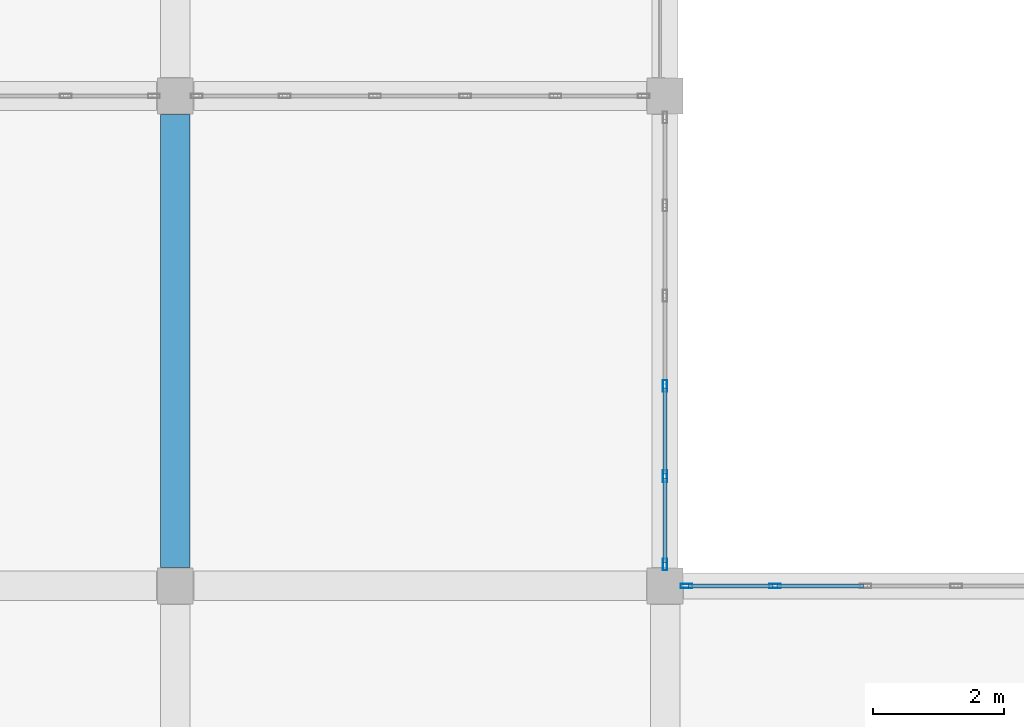
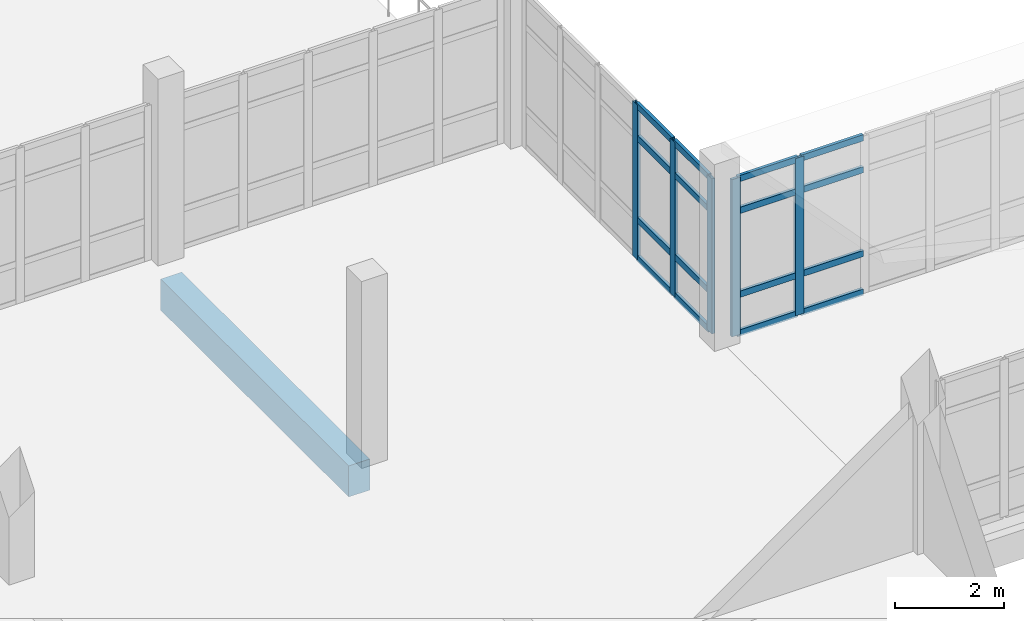
# One storey, part 47 of 164: 21 members, 1 beam, 2 elements without a shape of their own.
"""IFC4 building model written with IfcOpenShell, lengths in metres."""

from ifc_helpers import new_model, si_unit, direction, frame, origin, origin_2d, place, context, subcontext, project, spatial, rectangle, hollow_rectangle, extrude, material, layer, layer_set, material_profile, profile_set, type_object, element, aggregate, save


model = new_model("IFC4")

# Units and contexts
model_context = context("Model", 3, precision=1e-05, world=origin(), true_north=direction((0.0, 1.0)))
body_context = subcontext(model_context, "Body", "Model", "MODEL_VIEW")
ifc_project = project(units=[si_unit("LENGTHUNIT", "METRE"), si_unit("AREAUNIT", "SQUARE_METRE"), si_unit("VOLUMEUNIT", "CUBIC_METRE"), si_unit("PLANEANGLEUNIT", "RADIAN"), si_unit("MASSUNIT", "GRAM", prefix="KILO")], contexts=[model_context])

# Site, building, storey
site_placement = place(None, origin())
site = spatial("IfcSite", under=ifc_project, at=site_placement, CompositionType="ELEMENT")
building_placement = place(site_placement, origin())
building = spatial("IfcBuilding", under=site, at=building_placement, Name="Mawjan Specialist Oncology Clinic", CompositionType="ELEMENT")
storey_placement = place(building_placement, frame((0.0, 0.0, 5.0)))
storey = spatial("IfcBuildingStorey", under=building, at=storey_placement, Name="L01", CompositionType="ELEMENT", Elevation=5.0)

# Beam
ifc_material_1 = material(Name="Concrete C40/50", Category="concrete")
ifc_material_profile_1 = material_profile(ifc_material_1, rectangle(XDim=0.449951171875, YDim=0.699951171875, at=origin_2d()), Name="RC BM 450x700", Category="concrete")
ifc_profile_set_1 = profile_set([ifc_material_profile_1], Name="Concrete C40/50")
beam_type = type_object("IfcBeamType", Name="BM-450x700", PredefinedType="BEAM", material=ifc_profile_set_1)
beam_placement = place(storey_placement, frame((37.5, 53.5849609375, -0.64990234375), z_axis=(0.0, 1.0, 0.0), x_axis=(-1.0, 0.0, 0.0)))
element("IfcBeam", 1, at=beam_placement, inside=storey, type_object=beam_type, Name="L01 Collector Beam BM-L01-0469", PredefinedType="BEAM", context=body_context, shape_type="SweptSolid", body=[
    extrude(rectangle(XDim=0.449951171875, YDim=0.699951171875, at=origin_2d()), origin(), (0.0, 0.0, 1.0), 6.929931640625),
])

# Curtain wall, members
ifc_material_2 = material(Name="Unitised spectrally selective aluminium curtain wall", Category="aluminium")
ifc_layer_1 = layer(ifc_material_2, 0.179931640625, Name="Unitised spectrally selective aluminium curtain wall", Category="aluminium")
ifc_layer_set_1 = layer_set([ifc_layer_1], Name="Unitised spectrally selective aluminium curtain wall")
curtain_wall_type_1 = type_object("IfcCurtainWallType", Name="CW-52", PredefinedType="NOTDEFINED", material=ifc_layer_set_1)
curtain_wall_1_placement = place(storey_placement, origin())
curtain_wall_1 = element("IfcCurtainWall", 2, at=curtain_wall_1_placement, inside=storey, type_object=curtain_wall_type_1, Name="L01 Unitised Curtain Wall CW-L01-097", PredefinedType="NOTDEFINED")
ifc_material_3 = material(Name="Thermally broken aluminium 6063-T6", Category="aluminium")
ifc_material_profile_2 = material_profile(ifc_material_3, hollow_rectangle(XDim=0.06494140625, YDim=0.179931640625, WallThickness=0.00390625, at=origin_2d()), Name="ALU MULLION 180x65x4", Category="aluminium")
ifc_profile_set_2 = profile_set([ifc_material_profile_2], Name="Thermally broken aluminium 6063-T6")
member_type_1 = type_object("IfcMemberType", Name="CW-M180", PredefinedType="MULLION", material=ifc_profile_set_2)
member_1_placement = place(storey_placement, frame((45.0, 56.35888671875, 0.0), z_axis=(0.0, 0.0, 1.0), x_axis=(1.0, 0.0, 0.0)))
member_1 = element("IfcMember", 3, at=member_1_placement, type_object=member_type_1, Name="CW-52 mullion 4", PredefinedType="MULLION", context=body_context, shape_type="SweptSolid", body=[
    extrude(hollow_rectangle(XDim=0.06494140625, YDim=0.179931640625, WallThickness=0.00390625, at=origin_2d()), origin(), (0.0, 0.0, 1.0), 3.485107421875),
])
member_2_placement = place(storey_placement, frame((45.0, 54.97705078125, 0.0), z_axis=(0.0, 0.0, 1.0), x_axis=(1.0, 0.0, 0.0)))
member_2 = element("IfcMember", 4, at=member_2_placement, type_object=member_type_1, Name="CW-52 mullion 5", PredefinedType="MULLION", context=body_context, shape_type="SweptSolid", body=[
    extrude(hollow_rectangle(XDim=0.06494140625, YDim=0.179931640625, WallThickness=0.00390625, at=origin_2d()), origin(), (0.0, 0.0, 1.0), 3.485107421875),
])
member_3_placement = place(storey_placement, frame((45.0, 53.62744140625, 0.0), z_axis=(0.0, 0.0, 1.0), x_axis=(1.0, 0.0, 0.0)))
member_3 = element("IfcMember", 5, at=member_3_placement, type_object=member_type_1, Name="CW-52 mullion 6", PredefinedType="MULLION", context=body_context, shape_type="SweptSolid", body=[
    extrude(hollow_rectangle(XDim=0.06494140625, YDim=0.179931640625, WallThickness=0.00390625, at=origin_2d()), origin(), (0.0, 0.0, 1.0), 3.485107421875),
])

ifc_material_4 = material(Name="Unitised spectrally selective aluminium curtain wall", Category="aluminium")
ifc_layer_2 = layer(ifc_material_4, 0.179931640625, Name="Unitised spectrally selective aluminium curtain wall", Category="aluminium")
ifc_layer_set_2 = layer_set([ifc_layer_2], Name="Unitised spectrally selective aluminium curtain wall")
curtain_wall_type_2 = type_object("IfcCurtainWallType", Name="CW-53", PredefinedType="NOTDEFINED", material=ifc_layer_set_2)
curtain_wall_2_placement = place(storey_placement, origin())
curtain_wall_2 = element("IfcCurtainWall", 6, at=curtain_wall_2_placement, inside=storey, type_object=curtain_wall_type_2, Name="L01 Unitised Curtain Wall CW-L01-098", PredefinedType="NOTDEFINED")
member_4_placement = place(storey_placement, frame((45.327392578125, 53.300048828125, 0.0), z_axis=(0.0, 0.0, 1.0), x_axis=(0.0, 1.0, 0.0)))
member_4 = element("IfcMember", 7, at=member_4_placement, type_object=member_type_1, Name="CW-53 mullion 1", PredefinedType="MULLION", context=body_context, shape_type="SweptSolid", body=[
    extrude(hollow_rectangle(XDim=0.06494140625, YDim=0.179931640625, WallThickness=0.00390625, at=origin_2d()), origin(), (0.0, 0.0, 1.0), 3.534912109375),
])
member_5_placement = place(storey_placement, frame((46.681884765625, 53.300048828125, 0.0), z_axis=(0.0, 0.0, 1.0), x_axis=(0.0, 1.0, 0.0)))
member_5 = element("IfcMember", 8, at=member_5_placement, type_object=member_type_1, Name="CW-53 mullion 2", PredefinedType="MULLION", context=body_context, shape_type="SweptSolid", body=[
    extrude(hollow_rectangle(XDim=0.06494140625, YDim=0.179931640625, WallThickness=0.00390625, at=origin_2d()), origin(), (0.0, 0.0, 1.0), 3.534912109375),
])

# Member
ifc_material_5 = material(Name="Thermally broken aluminium 6063-T6", Category="aluminium")
ifc_material_profile_3 = material_profile(ifc_material_5, hollow_rectangle(XDim=0.06494140625, YDim=0.139892578125, WallThickness=0.00390625, at=origin_2d()), Name="ALU TRANSOM 140x65x4", Category="aluminium")
ifc_profile_set_3 = profile_set([ifc_material_profile_3], Name="Thermally broken aluminium 6063-T6")
member_type_2 = type_object("IfcMemberType", Name="CW-T140", PredefinedType="USERDEFINED", material=ifc_profile_set_3)
member_6_placement = place(storey_placement, frame((45.0, 56.326416015625, 0.032470703125), z_axis=(0.0, -1.0, 0.0), x_axis=(1.0, 0.0, 0.0)))
member_6 = element("IfcMember", 9, at=member_6_placement, type_object=member_type_2, Name="CW-52 transom 4.1", ObjectType="TRANSOM", PredefinedType="USERDEFINED", context=body_context, shape_type="SweptSolid", body=[
    extrude(hollow_rectangle(XDim=0.06494140625, YDim=0.139892578125, WallThickness=0.00390625, at=origin_2d()), origin(), (0.0, 0.0, 1.0), 1.31689453125),
])

member_7_placement = place(storey_placement, frame((45.0, 56.326416015625, 0.89990234375), z_axis=(0.0, -1.0, 0.0), x_axis=(1.0, 0.0, 0.0)))
member_7 = element("IfcMember", 10, at=member_7_placement, type_object=member_type_2, Name="CW-52 transom 4.2", ObjectType="TRANSOM", PredefinedType="USERDEFINED", context=body_context, shape_type="SweptSolid", body=[
    extrude(hollow_rectangle(XDim=0.06494140625, YDim=0.139892578125, WallThickness=0.00390625, at=origin_2d()), origin(), (0.0, 0.0, 1.0), 1.31689453125),
])

member_8_placement = place(storey_placement, frame((45.0, 56.326416015625, 2.735107421875), z_axis=(0.0, -1.0, 0.0), x_axis=(1.0, 0.0, 0.0)))
member_8 = element("IfcMember", 11, at=member_8_placement, type_object=member_type_2, Name="CW-52 transom 4.3", ObjectType="TRANSOM", PredefinedType="USERDEFINED", context=body_context, shape_type="SweptSolid", body=[
    extrude(hollow_rectangle(XDim=0.06494140625, YDim=0.139892578125, WallThickness=0.00390625, at=origin_2d()), origin(), (0.0, 0.0, 1.0), 1.31689453125),
])

member_9_placement = place(storey_placement, frame((45.0, 56.326416015625, 3.452392578125), z_axis=(0.0, -1.0, 0.0), x_axis=(1.0, 0.0, 0.0)))
member_9 = element("IfcMember", 12, at=member_9_placement, type_object=member_type_2, Name="CW-52 transom 4.4", ObjectType="TRANSOM", PredefinedType="USERDEFINED", context=body_context, shape_type="SweptSolid", body=[
    extrude(hollow_rectangle(XDim=0.06494140625, YDim=0.139892578125, WallThickness=0.00390625, at=origin_2d()), origin(), (0.0, 0.0, 1.0), 1.31689453125),
])

member_10_placement = place(storey_placement, frame((45.0, 54.944580078125, 0.032470703125), z_axis=(0.0, -1.0, 0.0), x_axis=(1.0, 0.0, 0.0)))
member_10 = element("IfcMember", 13, at=member_10_placement, type_object=member_type_2, Name="CW-52 transom 5.1", ObjectType="TRANSOM", PredefinedType="USERDEFINED", context=body_context, shape_type="SweptSolid", body=[
    extrude(hollow_rectangle(XDim=0.06494140625, YDim=0.139892578125, WallThickness=0.00390625, at=origin_2d()), origin(), (0.0, 0.0, 1.0), 1.28466796875),
])

member_11_placement = place(storey_placement, frame((45.0, 54.944580078125, 0.89990234375), z_axis=(0.0, -1.0, 0.0), x_axis=(1.0, 0.0, 0.0)))
member_11 = element("IfcMember", 14, at=member_11_placement, type_object=member_type_2, Name="CW-52 transom 5.2", ObjectType="TRANSOM", PredefinedType="USERDEFINED", context=body_context, shape_type="SweptSolid", body=[
    extrude(hollow_rectangle(XDim=0.06494140625, YDim=0.139892578125, WallThickness=0.00390625, at=origin_2d()), origin(), (0.0, 0.0, 1.0), 1.28466796875),
])

member_12_placement = place(storey_placement, frame((45.0, 54.944580078125, 2.735107421875), z_axis=(0.0, -1.0, 0.0), x_axis=(1.0, 0.0, 0.0)))
member_12 = element("IfcMember", 15, at=member_12_placement, type_object=member_type_2, Name="CW-52 transom 5.3", ObjectType="TRANSOM", PredefinedType="USERDEFINED", context=body_context, shape_type="SweptSolid", body=[
    extrude(hollow_rectangle(XDim=0.06494140625, YDim=0.139892578125, WallThickness=0.00390625, at=origin_2d()), origin(), (0.0, 0.0, 1.0), 1.28466796875),
])

member_13_placement = place(storey_placement, frame((45.0, 54.944580078125, 3.452392578125), z_axis=(0.0, -1.0, 0.0), x_axis=(1.0, 0.0, 0.0)))
member_13 = element("IfcMember", 16, at=member_13_placement, type_object=member_type_2, Name="CW-52 transom 5.4", ObjectType="TRANSOM", PredefinedType="USERDEFINED", context=body_context, shape_type="SweptSolid", body=[
    extrude(hollow_rectangle(XDim=0.06494140625, YDim=0.139892578125, WallThickness=0.00390625, at=origin_2d()), origin(), (0.0, 0.0, 1.0), 1.28466796875),
])

aggregate(curtain_wall_1, [member_1, member_2, member_3, member_6, member_7, member_8, member_9, member_10, member_11, member_12, member_13])

member_14_placement = place(storey_placement, frame((45.360107421875, 53.300048828125, 0.032470703125), z_axis=(1.0, 0.0, 0.0), x_axis=(0.0, 1.0, 0.0)))
member_14 = element("IfcMember", 17, at=member_14_placement, type_object=member_type_2, Name="CW-53 transom 1.1", ObjectType="TRANSOM", PredefinedType="USERDEFINED", context=body_context, shape_type="SweptSolid", body=[
    extrude(hollow_rectangle(XDim=0.06494140625, YDim=0.139892578125, WallThickness=0.00390625, at=origin_2d()), origin(), (0.0, 0.0, 1.0), 1.289306640625),
])

member_15_placement = place(storey_placement, frame((45.360107421875, 53.300048828125, 0.89990234375), z_axis=(1.0, 0.0, 0.0), x_axis=(0.0, 1.0, 0.0)))
member_15 = element("IfcMember", 18, at=member_15_placement, type_object=member_type_2, Name="CW-53 transom 1.2", ObjectType="TRANSOM", PredefinedType="USERDEFINED", context=body_context, shape_type="SweptSolid", body=[
    extrude(hollow_rectangle(XDim=0.06494140625, YDim=0.139892578125, WallThickness=0.00390625, at=origin_2d()), origin(), (0.0, 0.0, 1.0), 1.289306640625),
])

member_16_placement = place(storey_placement, frame((45.360107421875, 53.300048828125, 2.784912109375), z_axis=(1.0, 0.0, 0.0), x_axis=(0.0, 1.0, 0.0)))
member_16 = element("IfcMember", 19, at=member_16_placement, type_object=member_type_2, Name="CW-53 transom 1.3", ObjectType="TRANSOM", PredefinedType="USERDEFINED", context=body_context, shape_type="SweptSolid", body=[
    extrude(hollow_rectangle(XDim=0.06494140625, YDim=0.139892578125, WallThickness=0.00390625, at=origin_2d()), origin(), (0.0, 0.0, 1.0), 1.289306640625),
])

member_17_placement = place(storey_placement, frame((45.360107421875, 53.300048828125, 3.50244140625), z_axis=(1.0, 0.0, 0.0), x_axis=(0.0, 1.0, 0.0)))
member_17 = element("IfcMember", 20, at=member_17_placement, type_object=member_type_2, Name="CW-53 transom 1.4", ObjectType="TRANSOM", PredefinedType="USERDEFINED", context=body_context, shape_type="SweptSolid", body=[
    extrude(hollow_rectangle(XDim=0.06494140625, YDim=0.139892578125, WallThickness=0.00390625, at=origin_2d()), origin(), (0.0, 0.0, 1.0), 1.289306640625),
])

member_18_placement = place(storey_placement, frame((46.714599609375, 53.300048828125, 0.032470703125), z_axis=(1.0, 0.0, 0.0), x_axis=(0.0, 1.0, 0.0)))
member_18 = element("IfcMember", 21, at=member_18_placement, type_object=member_type_2, Name="CW-53 transom 2.1", ObjectType="TRANSOM", PredefinedType="USERDEFINED", context=body_context, shape_type="SweptSolid", body=[
    extrude(hollow_rectangle(XDim=0.06494140625, YDim=0.139892578125, WallThickness=0.00390625, at=origin_2d()), origin(), (0.0, 0.0, 1.0), 1.322021484375),
])

member_19_placement = place(storey_placement, frame((46.714599609375, 53.300048828125, 0.89990234375), z_axis=(1.0, 0.0, 0.0), x_axis=(0.0, 1.0, 0.0)))
member_19 = element("IfcMember", 22, at=member_19_placement, type_object=member_type_2, Name="CW-53 transom 2.2", ObjectType="TRANSOM", PredefinedType="USERDEFINED", context=body_context, shape_type="SweptSolid", body=[
    extrude(hollow_rectangle(XDim=0.06494140625, YDim=0.139892578125, WallThickness=0.00390625, at=origin_2d()), origin(), (0.0, 0.0, 1.0), 1.322021484375),
])

member_20_placement = place(storey_placement, frame((46.714599609375, 53.300048828125, 2.784912109375), z_axis=(1.0, 0.0, 0.0), x_axis=(0.0, 1.0, 0.0)))
member_20 = element("IfcMember", 23, at=member_20_placement, type_object=member_type_2, Name="CW-53 transom 2.3", ObjectType="TRANSOM", PredefinedType="USERDEFINED", context=body_context, shape_type="SweptSolid", body=[
    extrude(hollow_rectangle(XDim=0.06494140625, YDim=0.139892578125, WallThickness=0.00390625, at=origin_2d()), origin(), (0.0, 0.0, 1.0), 1.322021484375),
])

member_21_placement = place(storey_placement, frame((46.714599609375, 53.300048828125, 3.50244140625), z_axis=(1.0, 0.0, 0.0), x_axis=(0.0, 1.0, 0.0)))
member_21 = element("IfcMember", 24, at=member_21_placement, type_object=member_type_2, Name="CW-53 transom 2.4", ObjectType="TRANSOM", PredefinedType="USERDEFINED", context=body_context, shape_type="SweptSolid", body=[
    extrude(hollow_rectangle(XDim=0.06494140625, YDim=0.139892578125, WallThickness=0.00390625, at=origin_2d()), origin(), (0.0, 0.0, 1.0), 1.322021484375),
])

aggregate(curtain_wall_2, [member_4, member_5, member_14, member_15, member_16, member_17, member_18, member_19, member_20, member_21])

save(model, "model.ifc")
